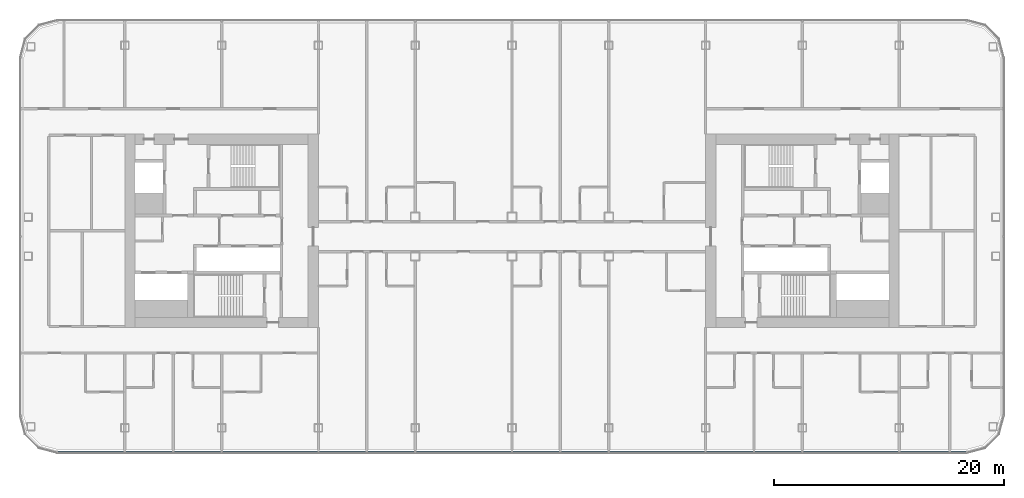
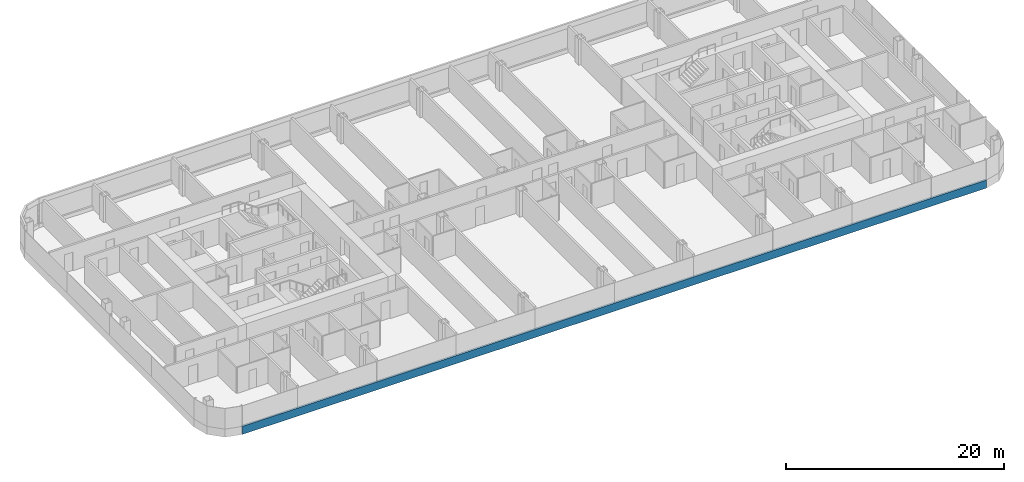
# One storey, part 4 of 26: 1 member, 1 element without a shape of its own.
"""IFC4 building model written with IfcOpenShell, lengths in metres."""

from ifc_helpers import new_model, si_unit, direction, frame, origin, origin_2d, place, context, subcontext, project, spatial, rectangle, extrude, material, layer, layer_set, material_profile, profile_set, type_object, element, aggregate, save


model = new_model("IFC4")

# Units and contexts
model_context = context("Model", 3, precision=1e-05, world=origin(), true_north=direction((0.0, 1.0)))
body_context = subcontext(model_context, "Body", "Model", "MODEL_VIEW")
ifc_project = project(units=[si_unit("LENGTHUNIT", "METRE"), si_unit("AREAUNIT", "SQUARE_METRE"), si_unit("VOLUMEUNIT", "CUBIC_METRE"), si_unit("PLANEANGLEUNIT", "RADIAN"), si_unit("MASSUNIT", "GRAM", prefix="KILO")], contexts=[model_context])

# Site, building, storey
site_placement = place(None, origin())
site = spatial("IfcSite", under=ifc_project, at=site_placement, CompositionType="ELEMENT")
building_placement = place(site_placement, origin())
building = spatial("IfcBuilding", under=site, at=building_placement, Name="Hakoniwa Tower and Hamabe Station Hall", CompositionType="ELEMENT")
storey_placement = place(building_placement, frame((0.0, 0.0, 172.60009765625)))
storey = spatial("IfcBuildingStorey", under=building, at=storey_placement, Name="L49", CompositionType="ELEMENT", Elevation=172.60009765625)

# Curtain wall, member
ifc_material_1 = material(Name="Dark low-e laminated glass", Category="glass")
ifc_layer = layer(ifc_material_1, 0.199951171875)
ifc_layer_set = layer_set([ifc_layer], Name="CW-1 UNITISED GUEST")
curtain_wall_type = type_object("IfcCurtainWallType", Name="CW-1 UNITISED GUEST", PredefinedType="NOTDEFINED", material=ifc_layer_set)
curtain_wall_placement = place(storey_placement, origin())
curtain_wall = element("IfcCurtainWall", 1, at=curtain_wall_placement, inside=storey, type_object=curtain_wall_type, Name="CW-1 curtain wall", PredefinedType="NOTDEFINED")
ifc_material_2 = material(Name="Aluminium 6063-T5 black anodised", Category="aluminium")
ifc_material_profile = material_profile(ifc_material_2, rectangle(XDim=0.199951171875, YDim=0.89990234375, at=origin_2d()), Name="CW SLAB-EDGE BAND 900X200")
ifc_profile_set = profile_set([ifc_material_profile], Name="Aluminium 6063-T5 black anodised")
member_type = type_object("IfcMemberType", Name="CW SLAB-EDGE BAND 900X200", PredefinedType="USERDEFINED", material=ifc_profile_set)
member_placement = place(storey_placement, frame((-39.439453125, -19.199951171875, -0.10009765625), z_axis=(1.0, 0.0, 0.0), x_axis=(0.0, 1.0, 0.0)))
member = element("IfcMember", 2, at=member_placement, type_object=member_type, Name="CW-1 transom", ObjectType="TRANSOM", PredefinedType="USERDEFINED", context=body_context, shape_type="SweptSolid", body=[
    extrude(rectangle(XDim=0.199951171875, YDim=0.89990234375, at=origin_2d()), origin(), (0.0, 0.0, 1.0), 78.87890625),
])
aggregate(curtain_wall, [member])

save(model, "model.ifc")
